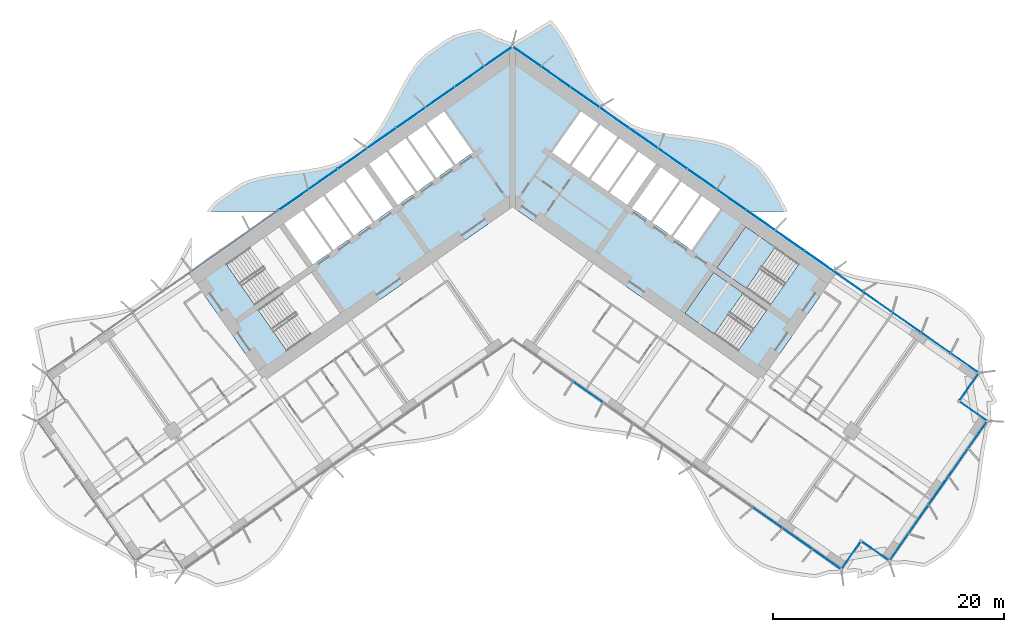
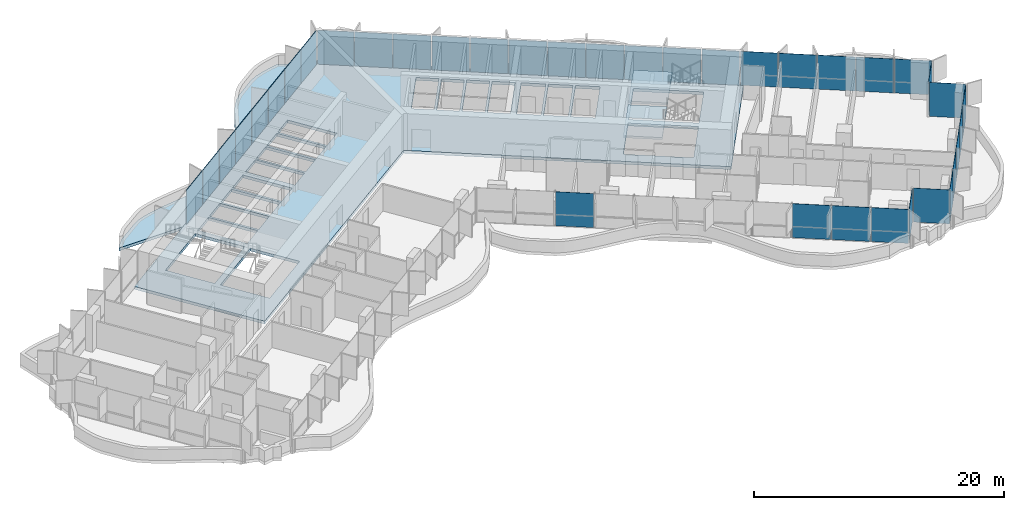
# One storey, part 11 of 23: 37 plates, 4 slabs, 4 elements without a shape of their own.
"""IFC4 building model written with IfcOpenShell, lengths in metres."""

from ifc_helpers import new_model, si_unit, direction, frame, origin, origin_2d, place, context, subcontext, project, spatial, polyline, rectangle, outline, extrude, material, layer, layer_set, type_object, element, aggregate, save


model = new_model("IFC4")

# Units and contexts
model_context = context("Model", 3, precision=1e-05, world=origin(), true_north=direction((0.0, 1.0)))
body_context = subcontext(model_context, "Body", "Model", "MODEL_VIEW")
ifc_project = project(units=[si_unit("LENGTHUNIT", "METRE"), si_unit("AREAUNIT", "SQUARE_METRE"), si_unit("VOLUMEUNIT", "CUBIC_METRE"), si_unit("PLANEANGLEUNIT", "RADIAN"), si_unit("MASSUNIT", "GRAM", prefix="KILO")], contexts=[model_context])

# Site, building, storey
site_placement = place(None, origin())
site = spatial("IfcSite", under=ifc_project, at=site_placement, CompositionType="ELEMENT")
building_placement = place(site_placement, origin())
building = spatial("IfcBuilding", under=site, at=building_placement, Name="Tel Ilan Convention Tower", CompositionType="ELEMENT")
storey_placement = place(building_placement, frame((0.0, 0.0, 104.89990234375)))
storey = spatial("IfcBuildingStorey", under=building, at=storey_placement, Name="L22", CompositionType="ELEMENT", Elevation=104.89990234375)

# Curtain wall, plates
ifc_material_1 = material(Name="Aluminium, bronze anodised", Category="aluminium")
curtain_wall_type_1 = type_object("IfcCurtainWallType", Name="CW1 UNITISED CURTAIN WALL, HOTEL TINTED GLASS", PredefinedType="NOTDEFINED", material=ifc_material_1)
curtain_wall_1_placement = place(storey_placement, origin())
curtain_wall_1 = element("IfcCurtainWall", 1, at=curtain_wall_1_placement, inside=storey, type_object=curtain_wall_type_1, Name="Curtain wall CW1-19.02", PredefinedType="NOTDEFINED")
ifc_material_2 = material(Name="Glass, bronze tinted, two-ply unitised", Category="glass")
ifc_layer_1 = layer(ifc_material_2, 0.028076171875)
ifc_layer_set_1 = layer_set([ifc_layer_1], Name="CW HOTEL GLASS PANEL 28")
plate_type_1 = type_object("IfcPlateType", Name="CW HOTEL GLASS PANEL 28", PredefinedType="CURTAIN_PANEL", material=ifc_layer_set_1)
plate_1_placement = place(storey_placement, frame((6.544921875, -17.27880859375, 0.0), z_axis=(0.0, 0.0, 1.0), x_axis=(0.819152044289, -0.573576436351, 0.0)))
plate_1 = element("IfcPlate", 2, at=plate_1_placement, type_object=plate_type_1, Name="Glass panel", PredefinedType="CURTAIN_PANEL", context=body_context, shape_type="SweptSolid", body=[
    extrude(rectangle(XDim=3.10791015625, YDim=0.028076171875, at=origin_2d()), origin(), (0.0, 0.0, 1.0), 3.320068359375),
])
plate_2_placement = place(storey_placement, frame((22.115478515625, -28.181396484375, 0.0), z_axis=(0.0, 0.0, 1.0), x_axis=(0.819152044289, -0.573576436351, 0.0)))
plate_2 = element("IfcPlate", 3, at=plate_2_placement, type_object=plate_type_1, Name="Glass panel", PredefinedType="CURTAIN_PANEL", context=body_context, shape_type="SweptSolid", body=[
    extrude(rectangle(XDim=3.10791015625, YDim=0.028076171875, at=origin_2d()), origin(), (0.0, 0.0, 1.0), 3.320068359375),
])
plate_3_placement = place(storey_placement, frame((24.71044921875, -29.99853515625, 0.0), z_axis=(0.0, 0.0, 1.0), x_axis=(0.819152044289, -0.573576436351, 0.0)))
plate_3 = element("IfcPlate", 4, at=plate_3_placement, type_object=plate_type_1, Name="Glass panel", PredefinedType="CURTAIN_PANEL", context=body_context, shape_type="SweptSolid", body=[
    extrude(rectangle(XDim=3.10791015625, YDim=0.028076171875, at=origin_2d()), origin(), (0.0, 0.0, 1.0), 3.320068359375),
])
plate_4_placement = place(storey_placement, frame((27.26708984375, -31.78857421875, 0.0), z_axis=(0.0, 0.0, 1.0), x_axis=(0.819152044289, -0.573576436351, 0.0)))
plate_4 = element("IfcPlate", 5, at=plate_4_placement, type_object=plate_type_1, Name="Glass panel", PredefinedType="CURTAIN_PANEL", context=body_context, shape_type="SweptSolid", body=[
    extrude(rectangle(XDim=3.013916015625, YDim=0.028076171875, at=origin_2d()), origin(), (0.0, 0.0, 1.0), 3.320068359375),
])
plate_5_placement = place(storey_placement, frame((29.359375, -31.469482421875, 0.0), z_axis=(0.0, 0.0, 1.0), x_axis=(0.573576436351, 0.819152044289, 0.0)))
plate_5 = element("IfcPlate", 6, at=plate_5_placement, type_object=plate_type_1, Name="Glass panel", PredefinedType="CURTAIN_PANEL", context=body_context, shape_type="SweptSolid", body=[
    extrude(rectangle(XDim=2.875, YDim=0.028076171875, at=origin_2d()), origin(), (0.0, 0.0, 1.0), 3.320068359375),
])
plate_6_placement = place(storey_placement, frame((31.502197265625, -31.091796875, 0.0), z_axis=(0.0, 0.0, 1.0), x_axis=(0.819152044289, -0.573576436351, 0.0)))
plate_6 = element("IfcPlate", 7, at=plate_6_placement, type_object=plate_type_1, Name="Glass panel", PredefinedType="CURTAIN_PANEL", context=body_context, shape_type="SweptSolid", body=[
    extrude(rectangle(XDim=2.875, YDim=0.028076171875, at=origin_2d()), origin(), (0.0, 0.0, 1.0), 3.320068359375),
])
plate_7_placement = place(storey_placement, frame((33.529296875, -30.74462890625, 0.0), z_axis=(0.0, 0.0, 1.0), x_axis=(0.573576436351, 0.819152044289, 0.0)))
plate_7 = element("IfcPlate", 8, at=plate_7_placement, type_object=plate_type_1, Name="Glass panel", PredefinedType="CURTAIN_PANEL", context=body_context, shape_type="SweptSolid", body=[
    extrude(rectangle(XDim=2.845947265625, YDim=0.028076171875, at=origin_2d()), origin(), (0.0, 0.0, 1.0), 3.320068359375),
])
plate_8_placement = place(storey_placement, frame((35.22314453125, -28.32568359375, 0.0), z_axis=(0.0, 0.0, 1.0), x_axis=(0.573576436351, 0.819152044289, 0.0)))
plate_8 = element("IfcPlate", 9, at=plate_8_placement, type_object=plate_type_1, Name="Glass panel", PredefinedType="CURTAIN_PANEL", context=body_context, shape_type="SweptSolid", body=[
    extrude(rectangle(XDim=2.93994140625, YDim=0.028076171875, at=origin_2d()), origin(), (0.0, 0.0, 1.0), 3.320068359375),
])
plate_9_placement = place(storey_placement, frame((36.94384765625, -25.868408203125, 0.0), z_axis=(0.0, 0.0, 1.0), x_axis=(0.573576436351, 0.819152044289, 0.0)))
plate_9 = element("IfcPlate", 10, at=plate_9_placement, type_object=plate_type_1, Name="Glass panel", PredefinedType="CURTAIN_PANEL", context=body_context, shape_type="SweptSolid", body=[
    extrude(rectangle(XDim=2.93994140625, YDim=0.028076171875, at=origin_2d()), origin(), (0.0, 0.0, 1.0), 3.320068359375),
])
plate_10_placement = place(storey_placement, frame((38.66455078125, -23.410888671875, 0.0), z_axis=(0.0, 0.0, 1.0), x_axis=(0.573576436351, 0.819152044289, 0.0)))
plate_10 = element("IfcPlate", 11, at=plate_10_placement, type_object=plate_type_1, Name="Glass panel", PredefinedType="CURTAIN_PANEL", context=body_context, shape_type="SweptSolid", body=[
    extrude(rectangle(XDim=2.93994140625, YDim=0.028076171875, at=origin_2d()), origin(), (0.0, 0.0, 1.0), 3.320068359375),
])
plate_11_placement = place(storey_placement, frame((40.358154296875, -20.991943359375, 0.0), z_axis=(0.0, 0.0, 1.0), x_axis=(0.573576436351, 0.819152044289, 0.0)))
plate_11 = element("IfcPlate", 12, at=plate_11_placement, type_object=plate_type_1, Name="Glass panel", PredefinedType="CURTAIN_PANEL", context=body_context, shape_type="SweptSolid", body=[
    extrude(rectangle(XDim=2.845947265625, YDim=0.028076171875, at=origin_2d()), origin(), (0.0, 0.0, 1.0), 3.320068359375),
])
plate_12_placement = place(storey_placement, frame((39.990966796875, -18.96826171875, 0.0), z_axis=(0.0, 0.0, 1.0), x_axis=(-0.819152044289, 0.573576436351, 0.0)))
plate_12 = element("IfcPlate", 13, at=plate_12_placement, type_object=plate_type_1, Name="Glass panel", PredefinedType="CURTAIN_PANEL", context=body_context, shape_type="SweptSolid", body=[
    extrude(rectangle(XDim=2.875, YDim=0.028076171875, at=origin_2d()), origin(), (0.0, 0.0, 1.0), 3.320068359375),
])
plate_13_placement = place(storey_placement, frame((39.61328125, -16.82568359375, 0.0), z_axis=(0.0, 0.0, 1.0), x_axis=(0.573576436351, 0.819152044289, 0.0)))
plate_13 = element("IfcPlate", 14, at=plate_13_placement, type_object=plate_type_1, Name="Glass panel", PredefinedType="CURTAIN_PANEL", context=body_context, shape_type="SweptSolid", body=[
    extrude(rectangle(XDim=2.875, YDim=0.028076171875, at=origin_2d()), origin(), (0.0, 0.0, 1.0), 3.320068359375),
])
plate_14_placement = place(storey_placement, frame((39.2265625, -14.7705078125, 0.0), z_axis=(0.0, 0.0, 1.0), x_axis=(-0.819152044289, 0.573576436351, 0.0)))
plate_14 = element("IfcPlate", 15, at=plate_14_placement, type_object=plate_type_1, Name="Glass panel", PredefinedType="CURTAIN_PANEL", context=body_context, shape_type="SweptSolid", body=[
    extrude(rectangle(XDim=2.943115234375, YDim=0.028076171875, at=origin_2d()), origin(), (0.0, 0.0, 1.0), 3.320068359375),
])
plate_15_placement = place(storey_placement, frame((36.72802734375, -13.021240234375, 0.0), z_axis=(0.0, 0.0, 1.0), x_axis=(-0.819152044289, 0.573576436351, 0.0)))
plate_15 = element("IfcPlate", 16, at=plate_15_placement, type_object=plate_type_1, Name="Glass panel", PredefinedType="CURTAIN_PANEL", context=body_context, shape_type="SweptSolid", body=[
    extrude(rectangle(XDim=3.037109375, YDim=0.028076171875, at=origin_2d()), origin(), (0.0, 0.0, 1.0), 3.320068359375),
])
plate_16_placement = place(storey_placement, frame((34.191162109375, -11.244873046875, 0.0), z_axis=(0.0, 0.0, 1.0), x_axis=(-0.819152044289, 0.573576436351, 0.0)))
plate_16 = element("IfcPlate", 17, at=plate_16_placement, type_object=plate_type_1, Name="Glass panel", PredefinedType="CURTAIN_PANEL", context=body_context, shape_type="SweptSolid", body=[
    extrude(rectangle(XDim=3.037109375, YDim=0.028076171875, at=origin_2d()), origin(), (0.0, 0.0, 1.0), 3.320068359375),
])
plate_17_placement = place(storey_placement, frame((31.654296875, -9.468505859375, 0.0), z_axis=(0.0, 0.0, 1.0), x_axis=(-0.819152044289, 0.573576436351, 0.0)))
plate_17 = element("IfcPlate", 18, at=plate_17_placement, type_object=plate_type_1, Name="Glass panel", PredefinedType="CURTAIN_PANEL", context=body_context, shape_type="SweptSolid", body=[
    extrude(rectangle(XDim=3.037109375, YDim=0.028076171875, at=origin_2d()), origin(), (0.0, 0.0, 1.0), 3.320068359375),
])
plate_18_placement = place(storey_placement, frame((29.1171875, -7.692138671875, 0.0), z_axis=(0.0, 0.0, 1.0), x_axis=(-0.819152044289, 0.573576436351, 0.0)))
plate_18 = element("IfcPlate", 19, at=plate_18_placement, type_object=plate_type_1, Name="Glass panel", PredefinedType="CURTAIN_PANEL", context=body_context, shape_type="SweptSolid", body=[
    extrude(rectangle(XDim=3.037109375, YDim=0.028076171875, at=origin_2d()), origin(), (0.0, 0.0, 1.0), 3.320068359375),
])
aggregate(curtain_wall_1, [plate_1, plate_2, plate_3, plate_4, plate_5, plate_6, plate_7, plate_8, plate_9, plate_10, plate_11, plate_12, plate_13, plate_14, plate_15, plate_16, plate_17, plate_18])

ifc_material_3 = material(Name="Aluminium, bronze anodised", Category="aluminium")
curtain_wall_type_2 = type_object("IfcCurtainWallType", Name="CW2 STICK CURTAIN WALL, SPANDREL PANELS", PredefinedType="NOTDEFINED", material=ifc_material_3)
curtain_wall_2_placement = place(storey_placement, origin())
curtain_wall_2 = element("IfcCurtainWall", 20, at=curtain_wall_2_placement, inside=storey, type_object=curtain_wall_type_2, Name="Curtain wall CW2-19.01", PredefinedType="NOTDEFINED")
ifc_material_4 = material(Name="Aluminium composite panel, bronze anodised", Category="aluminium")
ifc_layer_2 = layer(ifc_material_4, 0.06005859375)
ifc_layer_set_2 = layer_set([ifc_layer_2], Name="CW SPANDREL PANEL 60")
plate_type_2 = type_object("IfcPlateType", Name="CW SPANDREL PANEL 60", PredefinedType="CURTAIN_PANEL", material=ifc_layer_set_2)
plate_19_placement = place(storey_placement, frame((26.580322265625, -5.915771484375, 0.0), z_axis=(0.0, 0.0, 1.0), x_axis=(-0.819152044289, 0.573576436351, 0.0)))
plate_19 = element("IfcPlate", 21, at=plate_19_placement, type_object=plate_type_2, Name="Spandrel panel", PredefinedType="CURTAIN_PANEL", context=body_context, shape_type="SweptSolid", body=[
    extrude(rectangle(XDim=3.037109375, YDim=0.06005859375, at=origin_2d()), origin(), (0.0, 0.0, 1.0), 3.320068359375),
])
plate_20_placement = place(storey_placement, frame((24.04345703125, -4.139404296875, 0.0), z_axis=(0.0, 0.0, 1.0), x_axis=(-0.819152044289, 0.573576436351, 0.0)))
plate_20 = element("IfcPlate", 22, at=plate_20_placement, type_object=plate_type_2, Name="Spandrel panel", PredefinedType="CURTAIN_PANEL", context=body_context, shape_type="SweptSolid", body=[
    extrude(rectangle(XDim=3.037109375, YDim=0.06005859375, at=origin_2d()), origin(), (0.0, 0.0, 1.0), 3.320068359375),
])
plate_21_placement = place(storey_placement, frame((21.506591796875, -2.363037109375, 0.0), z_axis=(0.0, 0.0, 1.0), x_axis=(-0.819152044289, 0.573576436351, 0.0)))
plate_21 = element("IfcPlate", 23, at=plate_21_placement, type_object=plate_type_2, Name="Spandrel panel", PredefinedType="CURTAIN_PANEL", context=body_context, shape_type="SweptSolid", body=[
    extrude(rectangle(XDim=3.037109375, YDim=0.06005859375, at=origin_2d()), origin(), (0.0, 0.0, 1.0), 3.320068359375),
])
plate_22_placement = place(storey_placement, frame((18.969482421875, -0.586669921875, 0.0), z_axis=(0.0, 0.0, 1.0), x_axis=(-0.819152044289, 0.573576436351, 0.0)))
plate_22 = element("IfcPlate", 24, at=plate_22_placement, type_object=plate_type_2, Name="Spandrel panel", PredefinedType="CURTAIN_PANEL", context=body_context, shape_type="SweptSolid", body=[
    extrude(rectangle(XDim=3.037109375, YDim=0.06005859375, at=origin_2d()), origin(), (0.0, 0.0, 1.0), 3.320068359375),
])
plate_23_placement = place(storey_placement, frame((16.4326171875, 1.189697265625, 0.0), z_axis=(0.0, 0.0, 1.0), x_axis=(-0.819152044289, 0.573576436351, 0.0)))
plate_23 = element("IfcPlate", 25, at=plate_23_placement, type_object=plate_type_2, Name="Spandrel panel", PredefinedType="CURTAIN_PANEL", context=body_context, shape_type="SweptSolid", body=[
    extrude(rectangle(XDim=3.037109375, YDim=0.06005859375, at=origin_2d()), origin(), (0.0, 0.0, 1.0), 3.320068359375),
])
plate_24_placement = place(storey_placement, frame((13.895751953125, 2.966064453125, 0.0), z_axis=(0.0, 0.0, 1.0), x_axis=(-0.819152044289, 0.573576436351, 0.0)))
plate_24 = element("IfcPlate", 26, at=plate_24_placement, type_object=plate_type_2, Name="Spandrel panel", PredefinedType="CURTAIN_PANEL", context=body_context, shape_type="SweptSolid", body=[
    extrude(rectangle(XDim=3.037109375, YDim=0.06005859375, at=origin_2d()), origin(), (0.0, 0.0, 1.0), 3.320068359375),
])
plate_25_placement = place(storey_placement, frame((11.35888671875, 4.742431640625, 0.0), z_axis=(0.0, 0.0, 1.0), x_axis=(-0.819152044289, 0.573576436351, 0.0)))
plate_25 = element("IfcPlate", 27, at=plate_25_placement, type_object=plate_type_2, Name="Spandrel panel", PredefinedType="CURTAIN_PANEL", context=body_context, shape_type="SweptSolid", body=[
    extrude(rectangle(XDim=3.037109375, YDim=0.06005859375, at=origin_2d()), origin(), (0.0, 0.0, 1.0), 3.320068359375),
])
plate_26_placement = place(storey_placement, frame((8.82177734375, 6.518798828125, 0.0), z_axis=(0.0, 0.0, 1.0), x_axis=(-0.819152044289, 0.573576436351, 0.0)))
plate_26 = element("IfcPlate", 28, at=plate_26_placement, type_object=plate_type_2, Name="Spandrel panel", PredefinedType="CURTAIN_PANEL", context=body_context, shape_type="SweptSolid", body=[
    extrude(rectangle(XDim=3.037109375, YDim=0.06005859375, at=origin_2d()), origin(), (0.0, 0.0, 1.0), 3.320068359375),
])
plate_27_placement = place(storey_placement, frame((6.284912109375, 8.295166015625, 0.0), z_axis=(0.0, 0.0, 1.0), x_axis=(-0.819152044289, 0.573576436351, 0.0)))
plate_27 = element("IfcPlate", 29, at=plate_27_placement, type_object=plate_type_2, Name="Spandrel panel", PredefinedType="CURTAIN_PANEL", context=body_context, shape_type="SweptSolid", body=[
    extrude(rectangle(XDim=3.037109375, YDim=0.06005859375, at=origin_2d()), origin(), (0.0, 0.0, 1.0), 3.320068359375),
])
plate_28_placement = place(storey_placement, frame((3.748046875, 10.07177734375, 0.0), z_axis=(0.0, 0.0, 1.0), x_axis=(-0.819152044289, 0.573576436351, 0.0)))
plate_28 = element("IfcPlate", 30, at=plate_28_placement, type_object=plate_type_2, Name="Spandrel panel", PredefinedType="CURTAIN_PANEL", context=body_context, shape_type="SweptSolid", body=[
    extrude(rectangle(XDim=3.037109375, YDim=0.06005859375, at=origin_2d()), origin(), (0.0, 0.0, 1.0), 3.320068359375),
])
plate_29_placement = place(storey_placement, frame((1.256103515625, 11.81640625, 0.0), z_axis=(0.0, 0.0, 1.0), x_axis=(-0.819152044289, 0.573576436351, 0.0)))
plate_29 = element("IfcPlate", 31, at=plate_29_placement, type_object=plate_type_2, Name="Spandrel panel", PredefinedType="CURTAIN_PANEL", context=body_context, shape_type="SweptSolid", body=[
    extrude(rectangle(XDim=2.927001953125, YDim=0.06005859375, at=origin_2d()), origin(), (0.0, 0.0, 1.0), 3.320068359375),
])
plate_30_placement = place(storey_placement, frame((-1.256103515625, 11.81640625, 0.0), z_axis=(0.0, 0.0, 1.0), x_axis=(-0.819152044289, -0.573576436351, 0.0)))
plate_30 = element("IfcPlate", 32, at=plate_30_placement, type_object=plate_type_2, Name="Spandrel panel", PredefinedType="CURTAIN_PANEL", context=body_context, shape_type="SweptSolid", body=[
    extrude(rectangle(XDim=2.927001953125, YDim=0.06005859375, at=origin_2d()), origin(), (0.0, 0.0, 1.0), 3.320068359375),
])
plate_31_placement = place(storey_placement, frame((-3.748046875, 10.07177734375, 0.0), z_axis=(0.0, 0.0, 1.0), x_axis=(-0.819152044289, -0.573576436351, 0.0)))
plate_31 = element("IfcPlate", 33, at=plate_31_placement, type_object=plate_type_2, Name="Spandrel panel", PredefinedType="CURTAIN_PANEL", context=body_context, shape_type="SweptSolid", body=[
    extrude(rectangle(XDim=3.037109375, YDim=0.06005859375, at=origin_2d()), origin(), (0.0, 0.0, 1.0), 3.320068359375),
])
plate_32_placement = place(storey_placement, frame((-6.284912109375, 8.295166015625, 0.0), z_axis=(0.0, 0.0, 1.0), x_axis=(-0.819152044289, -0.573576436351, 0.0)))
plate_32 = element("IfcPlate", 34, at=plate_32_placement, type_object=plate_type_2, Name="Spandrel panel", PredefinedType="CURTAIN_PANEL", context=body_context, shape_type="SweptSolid", body=[
    extrude(rectangle(XDim=3.037109375, YDim=0.06005859375, at=origin_2d()), origin(), (0.0, 0.0, 1.0), 3.320068359375),
])
plate_33_placement = place(storey_placement, frame((-8.82177734375, 6.518798828125, 0.0), z_axis=(0.0, 0.0, 1.0), x_axis=(-0.819152044289, -0.573576436351, 0.0)))
plate_33 = element("IfcPlate", 35, at=plate_33_placement, type_object=plate_type_2, Name="Spandrel panel", PredefinedType="CURTAIN_PANEL", context=body_context, shape_type="SweptSolid", body=[
    extrude(rectangle(XDim=3.037109375, YDim=0.06005859375, at=origin_2d()), origin(), (0.0, 0.0, 1.0), 3.320068359375),
])
plate_34_placement = place(storey_placement, frame((-11.35888671875, 4.742431640625, 0.0), z_axis=(0.0, 0.0, 1.0), x_axis=(-0.819152044289, -0.573576436351, 0.0)))
plate_34 = element("IfcPlate", 36, at=plate_34_placement, type_object=plate_type_2, Name="Spandrel panel", PredefinedType="CURTAIN_PANEL", context=body_context, shape_type="SweptSolid", body=[
    extrude(rectangle(XDim=3.037109375, YDim=0.06005859375, at=origin_2d()), origin(), (0.0, 0.0, 1.0), 3.320068359375),
])
plate_35_placement = place(storey_placement, frame((-13.895751953125, 2.966064453125, 0.0), z_axis=(0.0, 0.0, 1.0), x_axis=(-0.819152044289, -0.573576436351, 0.0)))
plate_35 = element("IfcPlate", 37, at=plate_35_placement, type_object=plate_type_2, Name="Spandrel panel", PredefinedType="CURTAIN_PANEL", context=body_context, shape_type="SweptSolid", body=[
    extrude(rectangle(XDim=3.037109375, YDim=0.06005859375, at=origin_2d()), origin(), (0.0, 0.0, 1.0), 3.320068359375),
])
plate_36_placement = place(storey_placement, frame((-16.4326171875, 1.189697265625, 0.0), z_axis=(0.0, 0.0, 1.0), x_axis=(-0.819152044289, -0.573576436351, 0.0)))
plate_36 = element("IfcPlate", 38, at=plate_36_placement, type_object=plate_type_2, Name="Spandrel panel", PredefinedType="CURTAIN_PANEL", context=body_context, shape_type="SweptSolid", body=[
    extrude(rectangle(XDim=3.037109375, YDim=0.06005859375, at=origin_2d()), origin(), (0.0, 0.0, 1.0), 3.320068359375),
])
plate_37_placement = place(storey_placement, frame((-18.969482421875, -0.586669921875, 0.0), z_axis=(0.0, 0.0, 1.0), x_axis=(-0.819152044289, -0.573576436351, 0.0)))
plate_37 = element("IfcPlate", 39, at=plate_37_placement, type_object=plate_type_2, Name="Spandrel panel", PredefinedType="CURTAIN_PANEL", context=body_context, shape_type="SweptSolid", body=[
    extrude(rectangle(XDim=3.037109375, YDim=0.06005859375, at=origin_2d()), origin(), (0.0, 0.0, 1.0), 3.320068359375),
])
aggregate(curtain_wall_2, [plate_19, plate_20, plate_21, plate_22, plate_23, plate_24, plate_25, plate_26, plate_27, plate_28, plate_29, plate_30, plate_31, plate_32, plate_33, plate_34, plate_35, plate_36, plate_37])

# Stair, slab
ifc_material_5 = material(Name="Concrete C40/50", Category="concrete")
stair_type = type_object("IfcStairType", Name="Pressurised Exit Stair 20 risers 180 mm", PredefinedType="HALF_TURN_STAIR", material=ifc_material_5)
stair_1_placement = place(storey_placement, origin())
stair_1 = element("IfcStair", 40, at=stair_1_placement, inside=storey, type_object=stair_type, Name="L22 Pressurised Stair S3", PredefinedType="HALF_TURN_STAIR")
ifc_material_6 = material(Name="Concrete C40/50", Category="concrete")
ifc_layer_3 = layer(ifc_material_6, 0.199951171875)
ifc_layer_set_3 = layer_set([ifc_layer_3], Name="Concrete Stair Landing 200 mm C40/50")
slab_type_1 = type_object("IfcSlabType", Name="Concrete Stair Landing 200 mm", PredefinedType="LANDING", material=ifc_layer_set_3)
slab_1_placement = place(storey_placement, frame((0.0, 0.0, 1.60009765625)))
slab_1 = element("IfcSlab", 41, at=slab_1_placement, type_object=slab_type_1, Name="S3 landing 1", PredefinedType="LANDING", context=body_context, shape_type="SweptSolid", body=[
    extrude(outline(polyline([(22.791015625, -4.727294921875), (20.226318359375, -2.931640625), (17.7314453125, -6.494873046875), (20.2958984375, -8.29052734375), (22.791015625, -4.727294921875)])), origin(), (0.0, 0.0, 1.0), 0.199951171875),
])
aggregate(stair_1, [slab_1])

stair_2_placement = place(storey_placement, origin())
stair_2 = element("IfcStair", 42, at=stair_2_placement, inside=storey, type_object=stair_type, Name="L22 Pressurised Stair S4", PredefinedType="HALF_TURN_STAIR")
slab_2_placement = place(storey_placement, frame((0.0, 0.0, 1.60009765625)))
slab_2 = element("IfcSlab", 43, at=slab_2_placement, type_object=slab_type_1, Name="S4 landing 1", PredefinedType="LANDING", context=body_context, shape_type="SweptSolid", body=[
    extrude(outline(polyline([(20.00927734375, -8.7001953125), (17.444580078125, -6.904541015625), (14.949462890625, -10.4677734375), (17.51416015625, -12.263427734375), (20.00927734375, -8.7001953125)])), origin(), (0.0, 0.0, 1.0), 0.199951171875),
])
aggregate(stair_2, [slab_2])

# Slabs
ifc_material_7 = material(Name="Concrete C40/50", Category="concrete")
ifc_layer_4 = layer(ifc_material_7, 0.280029296875)
ifc_layer_set_4 = layer_set([ifc_layer_4], Name="Core Floor Slab 280 mm C40/50")
slab_type_2 = type_object("IfcSlabType", Name="Core Floor Slab 280 mm C40/50", PredefinedType="FLOOR", material=ifc_layer_set_4)
slab_3_placement = place(storey_placement, frame((0.0, 0.0, -0.27978515625)))
element("IfcSlab", 44, at=slab_3_placement, inside=storey, type_object=slab_type_2, Name="L22 core floor 1", PredefinedType="FLOOR", context=body_context, shape_type="SweptSolid", body=[
    extrude(outline(polyline([(-28.1396484375, -6.885498046875), (0.0, 12.818115234375), (28.1396484375, -6.885498046875), (21.54345703125, -16.3056640625), (0.0, -1.220703125), (-21.54345703125, -16.3056640625), (-28.1396484375, -6.885498046875)]), holes=[polyline([(-14.949462890625, -10.4677734375), (-17.444580078125, -6.904541015625), (-22.072021484375, -10.144775390625), (-19.5771484375, -13.7080078125), (-14.949462890625, -10.4677734375)]), polyline([(-17.7314453125, -6.494873046875), (-20.226318359375, -2.931640625), (-24.85400390625, -6.171875), (-22.35888671875, -9.735107421875), (-17.7314453125, -6.494873046875)]), polyline([(-18.198974609375, -1.511962890625), (-19.81689453125, -2.644775390625), (-17.32177734375, -6.2080078125), (-15.7041015625, -5.0751953125), (-18.198974609375, -1.511962890625)]), polyline([(-16.41748046875, -0.264404296875), (-18.03515625, -1.397216796875), (-15.5400390625, -4.960693359375), (-13.92236328125, -3.827880859375), (-16.41748046875, -0.264404296875)]), polyline([(-14.6357421875, 0.983154296875), (-16.25341796875, -0.149658203125), (-13.758544921875, -3.712890625), (-12.140625, -2.580078125), (-14.6357421875, 0.983154296875)]), polyline([(-12.85400390625, 2.230712890625), (-14.471923828125, 1.097900390625), (-11.976806640625, -2.465576171875), (-10.35888671875, -1.332763671875), (-12.85400390625, 2.230712890625)]), polyline([(-10.939208984375, 3.5712890625), (-12.444580078125, 2.517333984375), (-9.949462890625, -1.0458984375), (-8.444091796875, 0.008056640625), (-10.939208984375, 3.5712890625)]), polyline([(-6.775146484375, 1.1767578125), (-9.270263671875, 4.739990234375), (-10.775390625, 3.68603515625), (-8.280517578125, 0.122802734375), (-6.775146484375, 1.1767578125)]), polyline([(-5.106201171875, 2.345458984375), (-7.601318359375, 5.90869140625), (-9.1064453125, 4.854736328125), (-6.611328125, 1.29150390625), (-5.106201171875, 2.345458984375)]), polyline([(-5.93212890625, 7.077392578125), (-7.4375, 6.0234375), (-4.9423828125, 2.460205078125), (-3.437255859375, 3.513916015625), (-5.93212890625, 7.077392578125)]), polyline([(17.444580078125, -6.904541015625), (14.949462890625, -10.4677734375), (19.5771484375, -13.7080078125), (22.072021484375, -10.144775390625), (17.444580078125, -6.904541015625)]), polyline([(20.226318359375, -2.931640625), (17.7314453125, -6.494873046875), (22.35888671875, -9.735107421875), (24.85400390625, -6.171875), (20.226318359375, -2.931640625)]), polyline([(13.92236328125, -3.827880859375), (15.5400390625, -4.960693359375), (18.03515625, -1.397216796875), (16.41748046875, -0.264404296875), (13.92236328125, -3.827880859375)]), polyline([(12.140625, -2.580078125), (13.758544921875, -3.712890625), (16.25341796875, -0.149658203125), (14.6357421875, 0.983154296875), (12.140625, -2.580078125)]), polyline([(11.976806640625, -2.465576171875), (14.471923828125, 1.097900390625), (12.85400390625, 2.230712890625), (10.35888671875, -1.332763671875), (11.976806640625, -2.465576171875)]), polyline([(9.949462890625, -1.0458984375), (12.444580078125, 2.517333984375), (10.939208984375, 3.5712890625), (8.444091796875, 0.008056640625), (9.949462890625, -1.0458984375)]), polyline([(8.280517578125, 0.122802734375), (10.775390625, 3.68603515625), (9.270263671875, 4.739990234375), (6.775146484375, 1.1767578125), (8.280517578125, 0.122802734375)]), polyline([(5.106201171875, 2.345458984375), (6.611328125, 1.29150390625), (9.1064453125, 4.854736328125), (7.601318359375, 5.90869140625), (5.106201171875, 2.345458984375)]), polyline([(3.437255859375, 3.513916015625), (4.9423828125, 2.460205078125), (7.4375, 6.0234375), (5.93212890625, 7.077392578125), (3.437255859375, 3.513916015625)])]), origin(), (0.0, 0.0, 1.0), 0.27978515625),
])
ifc_material_8 = material(Name="Concrete C40/50", Category="concrete")
ifc_layer_5 = layer(ifc_material_8, 0.280029296875)
ifc_layer_set_5 = layer_set([ifc_layer_5], Name="Edge Ledge Slab 280 mm C40/50")
slab_type_3 = type_object("IfcSlabType", Name="Edge Ledge Slab 280 mm C40/50", PredefinedType="FLOOR", material=ifc_layer_set_5)
slab_4_placement = place(storey_placement, frame((0.0, 0.0, -0.27978515625)))
element("IfcSlab", 45, at=slab_4_placement, inside=storey, type_object=slab_type_3, Name="L22 edge ledge 2", PredefinedType="FLOOR", context=body_context, shape_type="SweptSolid", body=[
    extrude(outline(polyline([(-23.301513671875, 0.96630859375), (-22.57568359375, 1.218994140625), (-21.812744140625, 1.4189453125), (-21.02001953125, 1.576171875), (-20.205810546875, 1.70263671875), (-19.37890625, 1.811279296875), (-18.5498046875, 1.91650390625), (-17.727783203125, 2.0322265625), (-16.923095703125, 2.172119140625), (-16.14404296875, 2.34912109375), (-15.398681640625, 2.573974609375), (-14.7119140625, 2.8828125), (-12.89453125, 4.155517578125), (-12.326416015625, 4.6337890625), (-11.845703125, 5.236572265625), (-11.401123046875, 5.89111328125), (-10.985595703125, 6.5869140625), (-10.59033203125, 7.311767578125), (-10.206298828125, 8.052734375), (-9.823486328125, 8.79541015625), (-9.431884765625, 9.52587890625), (-9.022216796875, 10.230224609375), (-8.585693359375, 10.896240234375), (-8.11474609375, 11.512939453125), (-7.57470703125, 12.031005859375), (-5.757080078125, 13.3037109375), (-5.10009765625, 13.654541015625), (-4.364013671875, 13.89306640625), (-3.593017578125, 14.0810546875), (-2.793212890625, 14.228271484375), (-1.3642578125, 13.47705078125), (-0.172119140625, 13.06396484375), (-0.168701171875, 13.05908203125), (-0.11474609375, 13.09521484375), (0.0, 13.1181640625), (0.11474609375, 13.09521484375), (0.168701171875, 13.05908203125), (0.172119140625, 13.06396484375), (1.732666015625, 14.003173828125), (3.331787109375, 14.997802734375), (3.8291015625, 14.418212890625), (4.28662109375, 13.7822265625), (4.71240234375, 13.100830078125), (5.1142578125, 12.385498046875), (5.50146484375, 11.64892578125), (5.883544921875, 10.9052734375), (6.2705078125, 10.168701171875), (6.672119140625, 9.452880859375), (7.09765625, 8.770751953125), (7.5546875, 8.134033203125), (8.050048828125, 7.55224609375), (8.65380859375, 7.125), (9.865478515625, 6.276611328125), (10.483642578125, 5.8701171875), (11.20458984375, 5.610107421875), (11.963134765625, 5.404052734375), (12.75244140625, 5.241943359375), (13.564697265625, 5.1123046875), (14.390380859375, 5.002197265625), (15.2197265625, 4.8974609375), (16.043212890625, 4.78369140625), (16.8505859375, 4.647705078125), (17.63330078125, 4.47607421875), (18.38330078125, 4.2578125), (19.08544921875, 3.97119140625), (20.903076171875, 2.698486328125), (21.484130859375, 2.239013671875), (21.9697265625, 1.643310546875), (22.418701171875, 0.99462890625), (22.83740234375, 0.3037109375), (23.23486328125, -0.41845703125), (23.619873046875, -1.158203125), (23.86328125, -1.631591796875), (20.63623046875, -1.631591796875), (0.0, 12.818115234375), (-20.63623046875, -1.631591796875), (-26.53369140625, -1.631591796875), (-26.25927734375, -1.2568359375), (-25.749755859375, -0.695068359375), (-23.93212890625, 0.577392578125), (-23.301513671875, 0.96630859375)])), origin(), (0.0, 0.0, 1.0), 0.27978515625),
])

save(model, "model.ifc")
